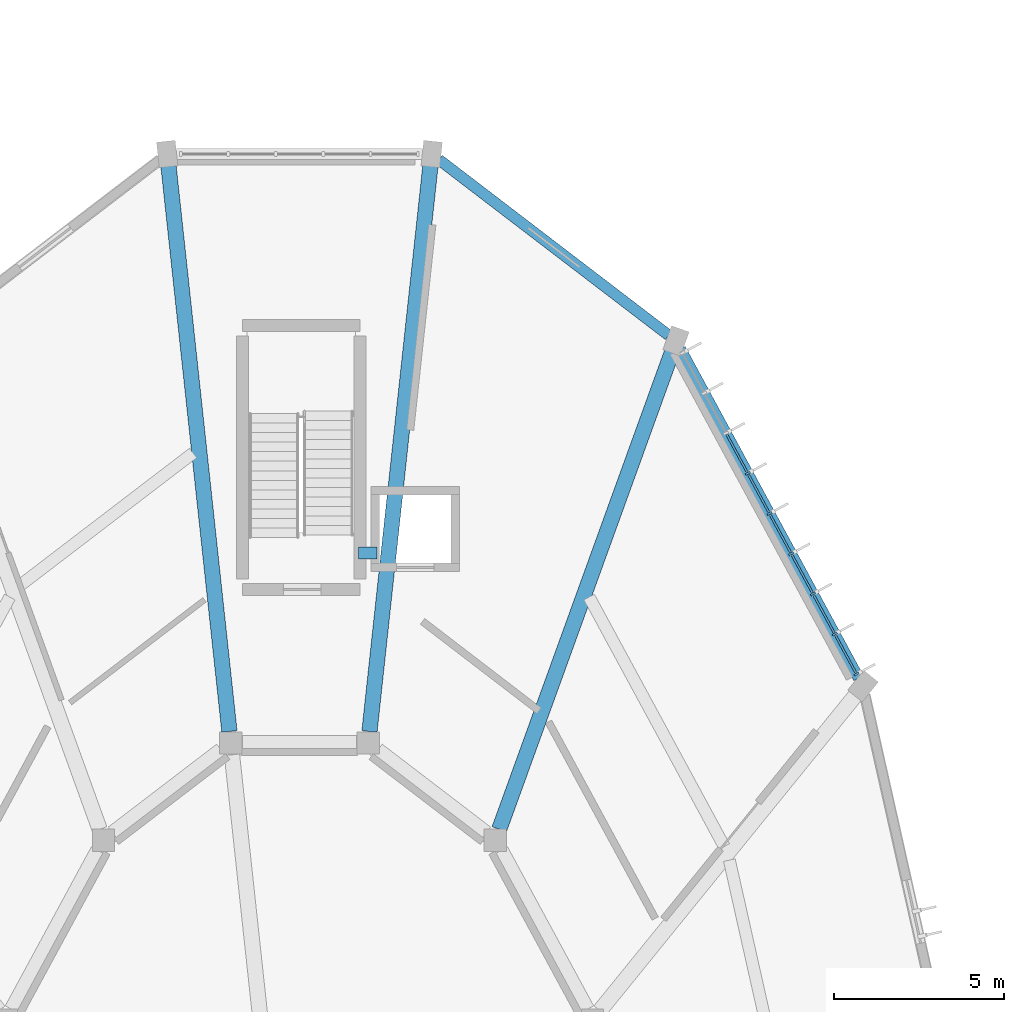
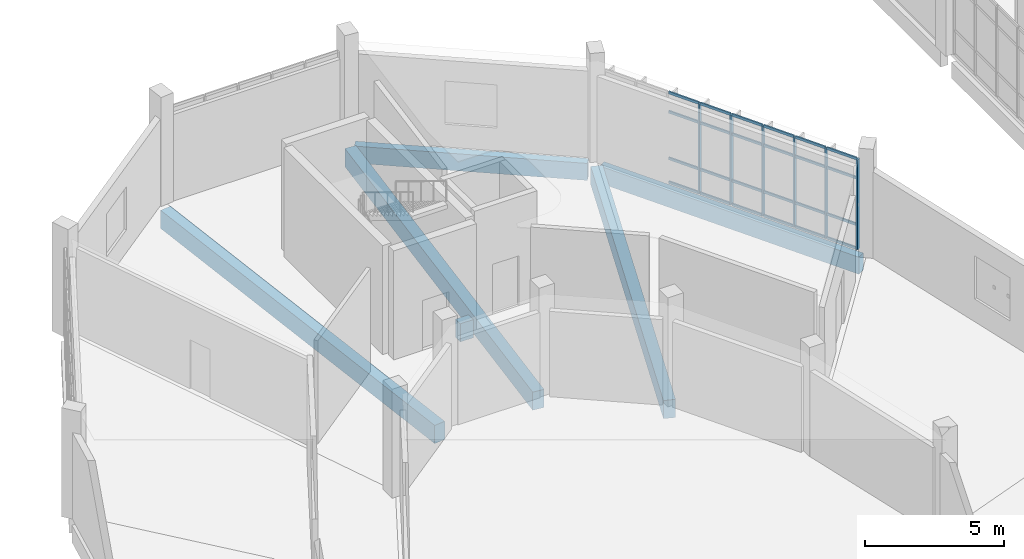
# One storey, part 72 of 179: 30 members, 6 beams, 1 element without a shape of its own.
"""IFC4 building model written with IfcOpenShell, lengths in metres."""

from ifc_helpers import new_model, si_unit, direction, frame, origin, origin_2d, place, context, subcontext, project, spatial, rectangle, extrude, material, layer, layer_set, material_profile, profile_set, type_object, element, aggregate, save


model = new_model("IFC4")

# Units and contexts
model_context = context("Model", 3, precision=1e-05, world=origin(), true_north=direction((0.0, 1.0)))
body_context = subcontext(model_context, "Body", "Model", "MODEL_VIEW")
ifc_project = project(units=[si_unit("LENGTHUNIT", "METRE"), si_unit("AREAUNIT", "SQUARE_METRE"), si_unit("VOLUMEUNIT", "CUBIC_METRE"), si_unit("PLANEANGLEUNIT", "RADIAN"), si_unit("MASSUNIT", "GRAM", prefix="KILO")], contexts=[model_context])

# Site, building, storey
site_placement = place(None, origin())
site = spatial("IfcSite", under=ifc_project, at=site_placement, CompositionType="ELEMENT")
building_placement = place(site_placement, origin())
building = spatial("IfcBuilding", under=site, at=building_placement, Name="Corvandel Quay Wholesale Market", CompositionType="ELEMENT")
storey_placement = place(building_placement, frame((0.0, 0.0, 6.0)))
storey = spatial("IfcBuildingStorey", under=building, at=storey_placement, Name="L01", CompositionType="ELEMENT", Elevation=6.0)

# Beams
ifc_material_1 = material(Name="Precast concrete C45/55", Category="concrete")
ifc_material_profile_1 = material_profile(ifc_material_1, rectangle(XDim=0.449951171875, YDim=0.800048828125, at=origin_2d()), Name="PC-GIR-450x800")
ifc_profile_set_1 = profile_set([ifc_material_profile_1], Name="Precast concrete C45/55")
beam_type_1 = type_object("IfcBeamType", Name="Auction Pavilion Girder G05 450x800", PredefinedType="USERDEFINED", material=ifc_profile_set_1)
beam_1_placement = place(storey_placement, frame((205.4541015625, 90.26513671875, -0.639892578125), z_axis=(-0.34033314867, -0.94030492284, 0.0), x_axis=(0.94030492284, -0.34033314867, 0.0)))
element("IfcBeam", 1, at=beam_1_placement, inside=storey, type_object=beam_type_1, Name="Beam BM-0793", ObjectType="GIRDER", PredefinedType="USERDEFINED", context=body_context, shape_type="SweptSolid", body=[
    extrude(rectangle(XDim=0.449951171875, YDim=0.800048828125, at=origin_2d()), origin(), (0.0, 0.0, 1.0), 14.964111328125),
])
for number, where, z_axis, x_axis, name in (
    (2, (198.35009765625, 95.731689453125, -0.639892578125), (-0.107135210455, -0.994244460221, 0.0), (0.994244460221, -0.107135210455, 0.0), "Beam BM-0802"),
    (3, (190.64990234375, 95.731689453125, -0.639892578125), (0.107135210455, -0.994244460221, 0.0), (0.994244460221, 0.107135210455, 0.0), "Beam BM-0811"),
):
    element("IfcBeam", number, at=place(storey_placement, frame(where, z_axis=z_axis, x_axis=x_axis)), inside=storey, type_object=beam_type_1, Name=name, ObjectType="GIRDER", PredefinedType="USERDEFINED", context=body_context, shape_type="SweptSolid", body=[
        extrude(rectangle(XDim=0.449951171875, YDim=0.800048828125, at=origin_2d()), origin(), (0.0, 0.0, 1.0), 16.76513671875),
    ])
ifc_material_2 = material(Name="Concrete C40/50", Category="concrete")
ifc_material_profile_2 = material_profile(ifc_material_2, rectangle(XDim=0.35009765625, YDim=0.800048828125, at=origin_2d()), Name="RC-CPL-350x800")
ifc_profile_set_2 = profile_set([ifc_material_profile_2], Name="Concrete C40/50")
beam_type_2 = type_object("IfcBeamType", Name="Core Shear Wall Coupling Beam CP01 350x800", PredefinedType="BEAM", material=ifc_profile_set_2)
beam_2_placement = place(storey_placement, frame((196.22509765625, 84.300048828125, -0.64990234375), z_axis=(1.0, 0.0, 0.0), x_axis=(0.0, 1.0, 0.0)))
element("IfcBeam", 4, at=beam_2_placement, inside=storey, type_object=beam_type_2, Name="Core Coupling Beam K3-L01", PredefinedType="BEAM", context=body_context, shape_type="SweptSolid", body=[
    extrude(rectangle(XDim=0.35009765625, YDim=0.800048828125, at=origin_2d()), origin(), (0.0, 0.0, 1.0), 0.5498046875),
])

# Curtain wall, members
ifc_material_3 = material(Name="Bronze anodised aluminium and low-E insulated glazing", Category="aluminium")
ifc_layer = layer(ifc_material_3, 0.162109375)
ifc_layer_set = layer_set([ifc_layer], Name="Bronze anodised aluminium and low-E insulated glazing")
curtain_wall_type = type_object("IfcCurtainWallType", Name="Stick Curtain Wall System CW11 H3990", PredefinedType="NOTDEFINED", material=ifc_layer_set)
curtain_wall_placement = place(storey_placement, origin())
curtain_wall = element("IfcCurtainWall", 5, at=curtain_wall_placement, inside=storey, type_object=curtain_wall_type, Name="Curtain Wall CW-0131", PredefinedType="NOTDEFINED")
ifc_material_4 = material(Name="Anodised aluminium 6063-T6", Category="aluminium")
ifc_material_profile_3 = material_profile(ifc_material_4, rectangle(XDim=0.06494140625, YDim=0.14990234375, at=origin_2d()), Name="ALU-MUL-65x150")
ifc_profile_set_3 = profile_set([ifc_material_profile_3], Name="Anodised aluminium 6063-T6")
member_type_1 = type_object("IfcMemberType", Name="Curtain Wall Mullion ML02 65x150", PredefinedType="MULLION", material=ifc_profile_set_3)
member_1_placement = place(storey_placement, frame((210.840576171875, 80.74365234375, 0.0), z_axis=(0.0, 0.0, 1.0), x_axis=(-0.476238203668, 0.879316310191, 0.0)))
member_1 = element("IfcMember", 6, at=member_1_placement, type_object=member_type_1, Name="Mullion CW-0131-M00", PredefinedType="MULLION", context=body_context, shape_type="SweptSolid", body=[
    extrude(rectangle(XDim=0.06494140625, YDim=0.14990234375, at=origin_2d()), origin(), (0.0, 0.0, 1.0), 3.949951171875),
])
member_2_placement = place(storey_placement, frame((210.202392578125, 81.921630859375, 0.0), z_axis=(0.0, 0.0, 1.0), x_axis=(-0.476238203668, 0.879316310191, 0.0)))
member_2 = element("IfcMember", 7, at=member_2_placement, type_object=member_type_1, Name="Mullion CW-0131-M01", PredefinedType="MULLION", context=body_context, shape_type="SweptSolid", body=[
    extrude(rectangle(XDim=0.06494140625, YDim=0.14990234375, at=origin_2d()), origin(), (0.0, 0.0, 1.0), 3.949951171875),
])
member_3_placement = place(storey_placement, frame((209.564453125, 83.099609375, 0.0), z_axis=(0.0, 0.0, 1.0), x_axis=(-0.476238203668, 0.879316310191, 0.0)))
member_3 = element("IfcMember", 8, at=member_3_placement, type_object=member_type_1, Name="Mullion CW-0131-M02", PredefinedType="MULLION", context=body_context, shape_type="SweptSolid", body=[
    extrude(rectangle(XDim=0.06494140625, YDim=0.14990234375, at=origin_2d()), origin(), (0.0, 0.0, 1.0), 3.949951171875),
])
member_4_placement = place(storey_placement, frame((208.926513671875, 84.277587890625, 0.0), z_axis=(0.0, 0.0, 1.0), x_axis=(-0.476238203668, 0.879316310191, 0.0)))
member_4 = element("IfcMember", 9, at=member_4_placement, type_object=member_type_1, Name="Mullion CW-0131-M03", PredefinedType="MULLION", context=body_context, shape_type="SweptSolid", body=[
    extrude(rectangle(XDim=0.06494140625, YDim=0.14990234375, at=origin_2d()), origin(), (0.0, 0.0, 1.0), 3.949951171875),
])
member_5_placement = place(storey_placement, frame((208.28857421875, 85.45556640625, 0.0), z_axis=(0.0, 0.0, 1.0), x_axis=(-0.476238203668, 0.879316310191, 0.0)))
member_5 = element("IfcMember", 10, at=member_5_placement, type_object=member_type_1, Name="Mullion CW-0131-M04", PredefinedType="MULLION", context=body_context, shape_type="SweptSolid", body=[
    extrude(rectangle(XDim=0.06494140625, YDim=0.14990234375, at=origin_2d()), origin(), (0.0, 0.0, 1.0), 3.949951171875),
])
member_6_placement = place(storey_placement, frame((207.650390625, 86.63330078125, 0.0), z_axis=(0.0, 0.0, 1.0), x_axis=(-0.476238203668, 0.879316310191, 0.0)))
member_6 = element("IfcMember", 11, at=member_6_placement, type_object=member_type_1, Name="Mullion CW-0131-M05", PredefinedType="MULLION", context=body_context, shape_type="SweptSolid", body=[
    extrude(rectangle(XDim=0.06494140625, YDim=0.14990234375, at=origin_2d()), origin(), (0.0, 0.0, 1.0), 3.949951171875),
])
ifc_material_profile_4 = material_profile(ifc_material_4, rectangle(XDim=0.06005859375, YDim=0.110107421875, at=origin_2d()), Name="ALU-TRN-60x110")
ifc_profile_set_4 = profile_set([ifc_material_profile_4], Name="Anodised aluminium 6063-T6")
member_type_2 = type_object("IfcMemberType", Name="Curtain Wall Transom TR02 60x110", PredefinedType="USERDEFINED", material=ifc_profile_set_4)
member_7_placement = place(storey_placement, frame((210.824951171875, 80.772216796875, 0.0), z_axis=(-0.476165907025, 0.879355462249, 0.0), x_axis=(-0.879355462249, -0.476165907025, 0.0)))
member_7 = element("IfcMember", 12, at=member_7_placement, type_object=member_type_2, Name="Transom CW-0131-T00-0", ObjectType="TRANSOM", PredefinedType="USERDEFINED", context=body_context, shape_type="SweptSolid", body=[
    extrude(rectangle(XDim=0.06005859375, YDim=0.110107421875, at=origin_2d()), origin(), (0.0, 0.0, 1.0), 1.274658203125),
])
member_8_placement = place(storey_placement, frame((210.824951171875, 80.772216796875, 1.050048828125), z_axis=(-0.476165907025, 0.879355462249, 0.0), x_axis=(-0.879355462249, -0.476165907025, 0.0)))
member_8 = element("IfcMember", 13, at=member_8_placement, type_object=member_type_2, Name="Transom CW-0131-T00-1", ObjectType="TRANSOM", PredefinedType="USERDEFINED", context=body_context, shape_type="SweptSolid", body=[
    extrude(rectangle(XDim=0.06005859375, YDim=0.110107421875, at=origin_2d()), origin(), (0.0, 0.0, 1.0), 1.274658203125),
])
member_9_placement = place(storey_placement, frame((210.824951171875, 80.772216796875, 3.10009765625), z_axis=(-0.476165907025, 0.879355462249, 0.0), x_axis=(-0.879355462249, -0.476165907025, 0.0)))
member_9 = element("IfcMember", 14, at=member_9_placement, type_object=member_type_2, Name="Transom CW-0131-T00-2", ObjectType="TRANSOM", PredefinedType="USERDEFINED", context=body_context, shape_type="SweptSolid", body=[
    extrude(rectangle(XDim=0.06005859375, YDim=0.110107421875, at=origin_2d()), origin(), (0.0, 0.0, 1.0), 1.274658203125),
])
member_10_placement = place(storey_placement, frame((210.824951171875, 80.772216796875, 3.949951171875), z_axis=(-0.476165907025, 0.879355462249, 0.0), x_axis=(-0.879355462249, -0.476165907025, 0.0)))
member_10 = element("IfcMember", 15, at=member_10_placement, type_object=member_type_2, Name="Transom CW-0131-T00-3", ObjectType="TRANSOM", PredefinedType="USERDEFINED", context=body_context, shape_type="SweptSolid", body=[
    extrude(rectangle(XDim=0.06005859375, YDim=0.110107421875, at=origin_2d()), origin(), (0.0, 0.0, 1.0), 1.274658203125),
])
member_11_placement = place(storey_placement, frame((210.18701171875, 81.9501953125, 0.0), z_axis=(-0.476165907025, 0.879355462249, 0.0), x_axis=(-0.879355462249, -0.476165907025, 0.0)))
member_11 = element("IfcMember", 16, at=member_11_placement, type_object=member_type_2, Name="Transom CW-0131-T01-0", ObjectType="TRANSOM", PredefinedType="USERDEFINED", context=body_context, shape_type="SweptSolid", body=[
    extrude(rectangle(XDim=0.06005859375, YDim=0.110107421875, at=origin_2d()), origin(), (0.0, 0.0, 1.0), 1.274658203125),
])
member_12_placement = place(storey_placement, frame((210.18701171875, 81.9501953125, 1.050048828125), z_axis=(-0.476165907025, 0.879355462249, 0.0), x_axis=(-0.879355462249, -0.476165907025, 0.0)))
member_12 = element("IfcMember", 17, at=member_12_placement, type_object=member_type_2, Name="Transom CW-0131-T01-1", ObjectType="TRANSOM", PredefinedType="USERDEFINED", context=body_context, shape_type="SweptSolid", body=[
    extrude(rectangle(XDim=0.06005859375, YDim=0.110107421875, at=origin_2d()), origin(), (0.0, 0.0, 1.0), 1.274658203125),
])
member_13_placement = place(storey_placement, frame((210.18701171875, 81.9501953125, 3.10009765625), z_axis=(-0.476165907025, 0.879355462249, 0.0), x_axis=(-0.879355462249, -0.476165907025, 0.0)))
member_13 = element("IfcMember", 18, at=member_13_placement, type_object=member_type_2, Name="Transom CW-0131-T01-2", ObjectType="TRANSOM", PredefinedType="USERDEFINED", context=body_context, shape_type="SweptSolid", body=[
    extrude(rectangle(XDim=0.06005859375, YDim=0.110107421875, at=origin_2d()), origin(), (0.0, 0.0, 1.0), 1.274658203125),
])
member_14_placement = place(storey_placement, frame((210.18701171875, 81.9501953125, 3.949951171875), z_axis=(-0.476165907025, 0.879355462249, 0.0), x_axis=(-0.879355462249, -0.476165907025, 0.0)))
member_14 = element("IfcMember", 19, at=member_14_placement, type_object=member_type_2, Name="Transom CW-0131-T01-3", ObjectType="TRANSOM", PredefinedType="USERDEFINED", context=body_context, shape_type="SweptSolid", body=[
    extrude(rectangle(XDim=0.06005859375, YDim=0.110107421875, at=origin_2d()), origin(), (0.0, 0.0, 1.0), 1.274658203125),
])
member_15_placement = place(storey_placement, frame((209.549072265625, 83.128173828125, 0.0), z_axis=(-0.47631399735, 0.879275256065, 0.0), x_axis=(-0.879275256065, -0.47631399735, 0.0)))
member_15 = element("IfcMember", 20, at=member_15_placement, type_object=member_type_2, Name="Transom CW-0131-T02-0", ObjectType="TRANSOM", PredefinedType="USERDEFINED", context=body_context, shape_type="SweptSolid", body=[
    extrude(rectangle(XDim=0.06005859375, YDim=0.110107421875, at=origin_2d()), origin(), (0.0, 0.0, 1.0), 1.274658203125),
])
member_16_placement = place(storey_placement, frame((209.549072265625, 83.128173828125, 1.050048828125), z_axis=(-0.47631399735, 0.879275256065, 0.0), x_axis=(-0.879275256065, -0.47631399735, 0.0)))
member_16 = element("IfcMember", 21, at=member_16_placement, type_object=member_type_2, Name="Transom CW-0131-T02-1", ObjectType="TRANSOM", PredefinedType="USERDEFINED", context=body_context, shape_type="SweptSolid", body=[
    extrude(rectangle(XDim=0.06005859375, YDim=0.110107421875, at=origin_2d()), origin(), (0.0, 0.0, 1.0), 1.274658203125),
])
member_17_placement = place(storey_placement, frame((209.549072265625, 83.128173828125, 3.10009765625), z_axis=(-0.47631399735, 0.879275256065, 0.0), x_axis=(-0.879275256065, -0.47631399735, 0.0)))
member_17 = element("IfcMember", 22, at=member_17_placement, type_object=member_type_2, Name="Transom CW-0131-T02-2", ObjectType="TRANSOM", PredefinedType="USERDEFINED", context=body_context, shape_type="SweptSolid", body=[
    extrude(rectangle(XDim=0.06005859375, YDim=0.110107421875, at=origin_2d()), origin(), (0.0, 0.0, 1.0), 1.274658203125),
])
member_18_placement = place(storey_placement, frame((209.549072265625, 83.128173828125, 3.949951171875), z_axis=(-0.47631399735, 0.879275256065, 0.0), x_axis=(-0.879275256065, -0.47631399735, 0.0)))
member_18 = element("IfcMember", 23, at=member_18_placement, type_object=member_type_2, Name="Transom CW-0131-T02-3", ObjectType="TRANSOM", PredefinedType="USERDEFINED", context=body_context, shape_type="SweptSolid", body=[
    extrude(rectangle(XDim=0.06005859375, YDim=0.110107421875, at=origin_2d()), origin(), (0.0, 0.0, 1.0), 1.274658203125),
])
member_19_placement = place(storey_placement, frame((208.910888671875, 84.30615234375, 0.0), z_axis=(-0.476165907025, 0.879355462249, 0.0), x_axis=(-0.879355462249, -0.476165907025, 0.0)))
member_19 = element("IfcMember", 24, at=member_19_placement, type_object=member_type_2, Name="Transom CW-0131-T03-0", ObjectType="TRANSOM", PredefinedType="USERDEFINED", context=body_context, shape_type="SweptSolid", body=[
    extrude(rectangle(XDim=0.06005859375, YDim=0.110107421875, at=origin_2d()), origin(), (0.0, 0.0, 1.0), 1.274658203125),
])
member_20_placement = place(storey_placement, frame((208.910888671875, 84.30615234375, 1.050048828125), z_axis=(-0.476165907025, 0.879355462249, 0.0), x_axis=(-0.879355462249, -0.476165907025, 0.0)))
member_20 = element("IfcMember", 25, at=member_20_placement, type_object=member_type_2, Name="Transom CW-0131-T03-1", ObjectType="TRANSOM", PredefinedType="USERDEFINED", context=body_context, shape_type="SweptSolid", body=[
    extrude(rectangle(XDim=0.06005859375, YDim=0.110107421875, at=origin_2d()), origin(), (0.0, 0.0, 1.0), 1.274658203125),
])
member_21_placement = place(storey_placement, frame((208.910888671875, 84.30615234375, 3.10009765625), z_axis=(-0.476165907025, 0.879355462249, 0.0), x_axis=(-0.879355462249, -0.476165907025, 0.0)))
member_21 = element("IfcMember", 26, at=member_21_placement, type_object=member_type_2, Name="Transom CW-0131-T03-2", ObjectType="TRANSOM", PredefinedType="USERDEFINED", context=body_context, shape_type="SweptSolid", body=[
    extrude(rectangle(XDim=0.06005859375, YDim=0.110107421875, at=origin_2d()), origin(), (0.0, 0.0, 1.0), 1.274658203125),
])
member_22_placement = place(storey_placement, frame((208.910888671875, 84.30615234375, 3.949951171875), z_axis=(-0.476165907025, 0.879355462249, 0.0), x_axis=(-0.879355462249, -0.476165907025, 0.0)))
member_22 = element("IfcMember", 27, at=member_22_placement, type_object=member_type_2, Name="Transom CW-0131-T03-3", ObjectType="TRANSOM", PredefinedType="USERDEFINED", context=body_context, shape_type="SweptSolid", body=[
    extrude(rectangle(XDim=0.06005859375, YDim=0.110107421875, at=origin_2d()), origin(), (0.0, 0.0, 1.0), 1.274658203125),
])
member_23_placement = place(storey_placement, frame((208.27294921875, 85.484130859375, 0.0), z_axis=(-0.476165907025, 0.879355462249, 0.0), x_axis=(-0.879355462249, -0.476165907025, 0.0)))
member_23 = element("IfcMember", 28, at=member_23_placement, type_object=member_type_2, Name="Transom CW-0131-T04-0", ObjectType="TRANSOM", PredefinedType="USERDEFINED", context=body_context, shape_type="SweptSolid", body=[
    extrude(rectangle(XDim=0.06005859375, YDim=0.110107421875, at=origin_2d()), origin(), (0.0, 0.0, 1.0), 1.274658203125),
])
member_24_placement = place(storey_placement, frame((208.27294921875, 85.484130859375, 1.050048828125), z_axis=(-0.476165907025, 0.879355462249, 0.0), x_axis=(-0.879355462249, -0.476165907025, 0.0)))
member_24 = element("IfcMember", 29, at=member_24_placement, type_object=member_type_2, Name="Transom CW-0131-T04-1", ObjectType="TRANSOM", PredefinedType="USERDEFINED", context=body_context, shape_type="SweptSolid", body=[
    extrude(rectangle(XDim=0.06005859375, YDim=0.110107421875, at=origin_2d()), origin(), (0.0, 0.0, 1.0), 1.274658203125),
])
member_25_placement = place(storey_placement, frame((208.27294921875, 85.484130859375, 3.10009765625), z_axis=(-0.476165907025, 0.879355462249, 0.0), x_axis=(-0.879355462249, -0.476165907025, 0.0)))
member_25 = element("IfcMember", 30, at=member_25_placement, type_object=member_type_2, Name="Transom CW-0131-T04-2", ObjectType="TRANSOM", PredefinedType="USERDEFINED", context=body_context, shape_type="SweptSolid", body=[
    extrude(rectangle(XDim=0.06005859375, YDim=0.110107421875, at=origin_2d()), origin(), (0.0, 0.0, 1.0), 1.274658203125),
])
member_26_placement = place(storey_placement, frame((208.27294921875, 85.484130859375, 3.949951171875), z_axis=(-0.476165907025, 0.879355462249, 0.0), x_axis=(-0.879355462249, -0.476165907025, 0.0)))
member_26 = element("IfcMember", 31, at=member_26_placement, type_object=member_type_2, Name="Transom CW-0131-T04-3", ObjectType="TRANSOM", PredefinedType="USERDEFINED", context=body_context, shape_type="SweptSolid", body=[
    extrude(rectangle(XDim=0.06005859375, YDim=0.110107421875, at=origin_2d()), origin(), (0.0, 0.0, 1.0), 1.274658203125),
])
member_27_placement = place(storey_placement, frame((207.635009765625, 86.662109375, 0.0), z_axis=(-0.476246119582, 0.879312022881, 0.0), x_axis=(-0.879312022881, -0.476246119582, 0.0)))
member_27 = element("IfcMember", 32, at=member_27_placement, type_object=member_type_2, Name="Transom CW-0131-T05-0", ObjectType="TRANSOM", PredefinedType="USERDEFINED", context=body_context, shape_type="SweptSolid", body=[
    extrude(rectangle(XDim=0.06005859375, YDim=0.110107421875, at=origin_2d()), origin(), (0.0, 0.0, 1.0), 1.2744140625),
])
member_28_placement = place(storey_placement, frame((207.635009765625, 86.662109375, 1.050048828125), z_axis=(-0.476246119582, 0.879312022881, 0.0), x_axis=(-0.879312022881, -0.476246119582, 0.0)))
member_28 = element("IfcMember", 33, at=member_28_placement, type_object=member_type_2, Name="Transom CW-0131-T05-1", ObjectType="TRANSOM", PredefinedType="USERDEFINED", context=body_context, shape_type="SweptSolid", body=[
    extrude(rectangle(XDim=0.06005859375, YDim=0.110107421875, at=origin_2d()), origin(), (0.0, 0.0, 1.0), 1.2744140625),
])
member_29_placement = place(storey_placement, frame((207.635009765625, 86.662109375, 3.10009765625), z_axis=(-0.476246119582, 0.879312022881, 0.0), x_axis=(-0.879312022881, -0.476246119582, 0.0)))
member_29 = element("IfcMember", 34, at=member_29_placement, type_object=member_type_2, Name="Transom CW-0131-T05-2", ObjectType="TRANSOM", PredefinedType="USERDEFINED", context=body_context, shape_type="SweptSolid", body=[
    extrude(rectangle(XDim=0.06005859375, YDim=0.110107421875, at=origin_2d()), origin(), (0.0, 0.0, 1.0), 1.2744140625),
])
member_30_placement = place(storey_placement, frame((207.635009765625, 86.662109375, 3.949951171875), z_axis=(-0.476246119582, 0.879312022881, 0.0), x_axis=(-0.879312022881, -0.476246119582, 0.0)))
member_30 = element("IfcMember", 35, at=member_30_placement, type_object=member_type_2, Name="Transom CW-0131-T05-3", ObjectType="TRANSOM", PredefinedType="USERDEFINED", context=body_context, shape_type="SweptSolid", body=[
    extrude(rectangle(XDim=0.06005859375, YDim=0.110107421875, at=origin_2d()), origin(), (0.0, 0.0, 1.0), 1.2744140625),
])
aggregate(curtain_wall, [member_1, member_2, member_3, member_4, member_5, member_6, member_7, member_8, member_9, member_10, member_11, member_12, member_13, member_14, member_15, member_16, member_17, member_18, member_19, member_20, member_21, member_22, member_23, member_24, member_25, member_26, member_27, member_28, member_29, member_30])

# Beams
ifc_material_profile_5 = material_profile(ifc_material_1, rectangle(XDim=0.320068359375, YDim=0.75, at=origin_2d()), Name="PC-SPN-320x750")
ifc_profile_set_5 = profile_set([ifc_material_profile_5], Name="Precast concrete C45/55")
beam_type_3 = type_object("IfcBeamType", Name="Pavilion Precast Spandrel SP02 320x750", PredefinedType="SPANDREL", material=ifc_profile_set_5)
beam_3_placement = place(storey_placement, frame((210.90234375, 80.62939453125, -0.614990234375), z_axis=(-0.476252338863, 0.879308654414, 0.0), x_axis=(-0.879308654414, -0.476252338863, 0.0)))
element("IfcBeam", 36, at=beam_3_placement, inside=storey, type_object=beam_type_3, Name="Beam BM-0780", PredefinedType="SPANDREL", context=body_context, shape_type="SweptSolid", body=[
    extrude(rectangle(XDim=0.320068359375, YDim=0.75, at=origin_2d()), origin(), (0.0, 0.0, 1.0), 10.976806640625),
])
beam_4_placement = place(storey_placement, frame((205.33154296875, 90.68310546875, -0.614990234375), z_axis=(-0.794345578607, 0.607466132182, 0.0), x_axis=(-0.607466132182, -0.794345578607, 0.0)))
element("IfcBeam", 37, at=beam_4_placement, inside=storey, type_object=beam_type_3, Name="Beam BM-0791", PredefinedType="SPANDREL", context=body_context, shape_type="SweptSolid", body=[
    extrude(rectangle(XDim=0.320068359375, YDim=0.75, at=origin_2d()), origin(), (0.0, 0.0, 1.0), 8.482421875),
])

save(model, "model.ifc")
